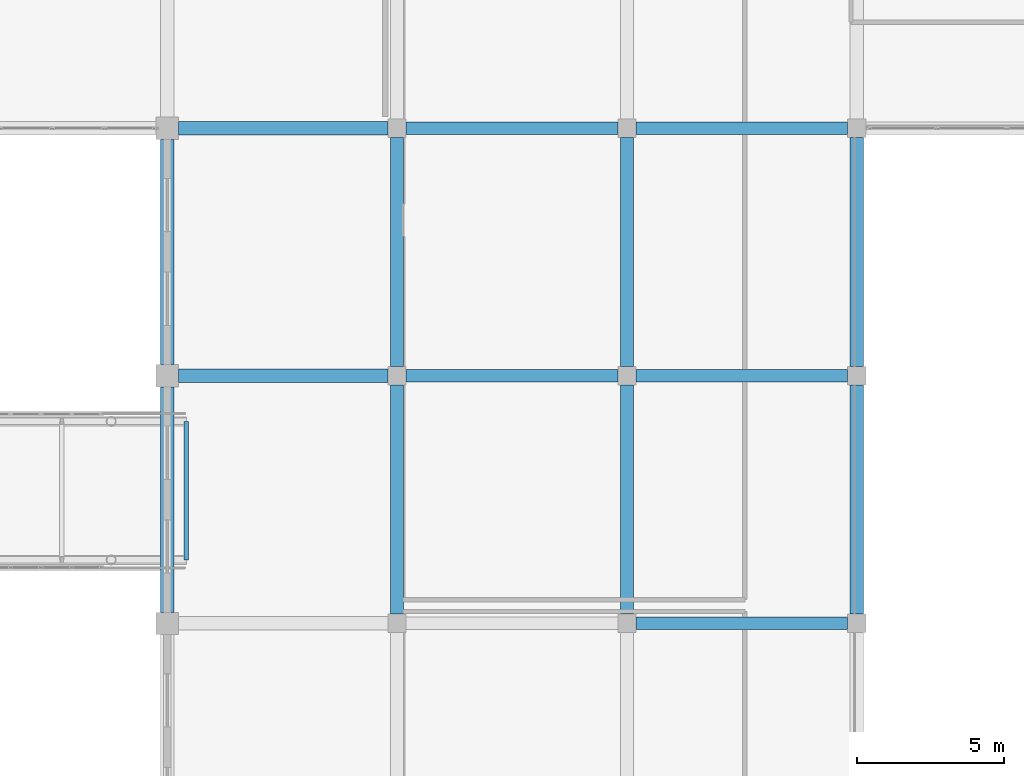
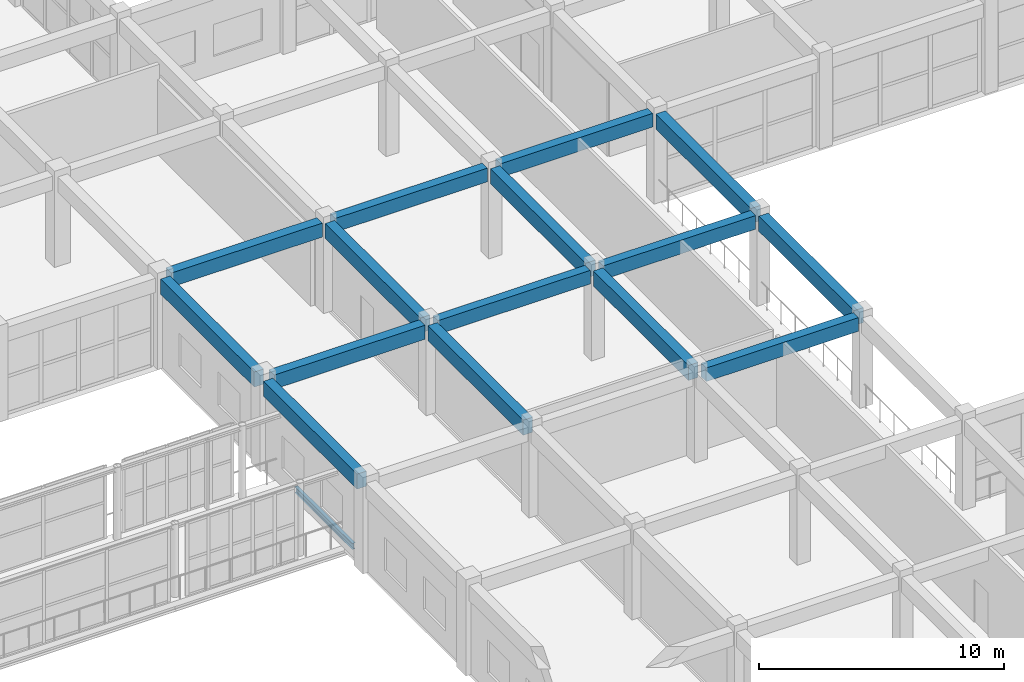
# One storey, part 96 of 167: 16 beams.
"""IFC4 building model written with IfcOpenShell, lengths in metres."""

from ifc_helpers import new_model, si_unit, direction, frame, origin, origin_2d, place, context, subcontext, project, spatial, rectangle, i_section, extrude, material, material_profile, profile_set, type_object, element, save


model = new_model("IFC4")

# Units and contexts
model_context = context("Model", 3, precision=1e-05, world=origin(), true_north=direction((0.0, 1.0)))
body_context = subcontext(model_context, "Body", "Model", "MODEL_VIEW")
ifc_project = project(units=[si_unit("LENGTHUNIT", "METRE"), si_unit("AREAUNIT", "SQUARE_METRE"), si_unit("VOLUMEUNIT", "CUBIC_METRE"), si_unit("PLANEANGLEUNIT", "RADIAN"), si_unit("MASSUNIT", "GRAM", prefix="KILO")], contexts=[model_context])

# Site, building, storey
site_placement = place(None, origin())
site = spatial("IfcSite", under=ifc_project, at=site_placement, CompositionType="ELEMENT")
building_placement = place(site_placement, origin())
building = spatial("IfcBuilding", under=site, at=building_placement, Name="Zizhar Promenade General Hospital", CompositionType="ELEMENT")
storey_placement = place(building_placement, frame((0.0, 0.0, 9.60009765625)))
storey = spatial("IfcBuildingStorey", under=building, at=storey_placement, Name="L02", CompositionType="ELEMENT", Elevation=9.60009765625)

# Beams
ifc_material_1 = material(Name="Concrete C35/45", Category="concrete")
ifc_material_profile_1 = material_profile(ifc_material_1, rectangle(XDim=0.419921875, YDim=0.679931640625, at=origin_2d()))
ifc_profile_set_1 = profile_set([ifc_material_profile_1], Name="Concrete C35/45")
beam_type_1 = type_object("IfcBeamType", Name="BM-RC-420x680", PredefinedType="JOIST", material=ifc_profile_set_1)
for number, where, z_axis, x_axis, name in (
    (1, (132.909912109375, 84.0, 4.1298828125), (1.0, 0.0, 0.0), (0.0, 1.0, 0.0), "Grid Beam X L02 (17-10)"),
    (2, (132.909912109375, 92.39990234375, 4.1298828125), (1.0, 0.0, 0.0), (0.0, 1.0, 0.0), "Grid Beam X L02 (17-11)"),
):
    element("IfcBeam", number, at=place(storey_placement, frame(where, z_axis=z_axis, x_axis=x_axis)), inside=storey, type_object=beam_type_1, Name=name, PredefinedType="JOIST", context=body_context, shape_type="SweptSolid", body=[
        extrude(rectangle(XDim=0.419921875, YDim=0.679931640625, at=origin_2d()), origin(), (0.0, 0.0, 1.0), 7.18017578125),
    ])
for number, where, z_axis, x_axis, name in (
    (3, (140.7099609375, 75.60009765625, 4.1298828125), (1.0, 0.0, 0.0), (0.0, 1.0, 0.0), "Grid Beam X L02 (18-9)"),
    (4, (140.7099609375, 84.0, 4.1298828125), (1.0, 0.0, 0.0), (0.0, 1.0, 0.0), "Grid Beam X L02 (18-10)"),
    (5, (140.7099609375, 92.39990234375, 4.1298828125), (1.0, 0.0, 0.0), (0.0, 1.0, 0.0), "Grid Beam X L02 (18-11)"),
):
    element("IfcBeam", number, at=place(storey_placement, frame(where, z_axis=z_axis, x_axis=x_axis)), inside=storey, type_object=beam_type_1, Name=name, PredefinedType="JOIST", context=body_context, shape_type="SweptSolid", body=[
        extrude(rectangle(XDim=0.419921875, YDim=0.679931640625, at=origin_2d()), origin(), (0.0, 0.0, 1.0), 7.179931640625),
    ])
ifc_material_2 = material(Name="Concrete C35/45", Category="concrete")
ifc_material_profile_2 = material_profile(ifc_material_2, rectangle(XDim=0.449951171875, YDim=0.699951171875, at=origin_2d()))
ifc_profile_set_2 = profile_set([ifc_material_profile_2], Name="Concrete C35/45")
beam_type_2 = type_object("IfcBeamType", Name="BM-RC-450x700", PredefinedType="BEAM", material=ifc_profile_set_2)
for number, where, z_axis, x_axis, name in (
    (6, (125.175048828125, 84.0, 4.119873046875), (1.0, 0.0, 0.0), (0.0, 1.0, 0.0), "Grid Beam X L02 (16-10)"),
    (7, (125.175048828125, 92.39990234375, 4.119873046875), (1.0, 0.0, 0.0), (0.0, 1.0, 0.0), "Grid Beam X L02 (16-11)"),
):
    element("IfcBeam", number, at=place(storey_placement, frame(where, z_axis=z_axis, x_axis=x_axis)), inside=storey, type_object=beam_type_2, Name=name, PredefinedType="BEAM", context=body_context, shape_type="SweptSolid", body=[
        extrude(rectangle(XDim=0.449951171875, YDim=0.699951171875, at=origin_2d()), origin(), (0.0, 0.0, 1.0), 7.114990234375),
    ])
ifc_material_3 = material(Name="Concrete C35/45", Category="concrete")
ifc_material_profile_3 = material_profile(ifc_material_3, rectangle(XDim=0.449951171875, YDim=0.75, at=origin_2d()))
ifc_profile_set_3 = profile_set([ifc_material_profile_3], Name="Concrete C35/45")
beam_type_3 = type_object("IfcBeamType", Name="BM-RC-450x750", PredefinedType="BEAM", material=ifc_profile_set_3)
for number, where, z_axis, x_axis, name in (
    (8, (124.800048828125, 75.97509765625, 4.094970703125), (0.0, 1.0, 0.0), (-1.0, 0.0, 0.0), "Grid Beam Y L02 (16-9)"),
    (9, (124.800048828125, 84.375, 4.094970703125), (0.0, 1.0, 0.0), (-1.0, 0.0, 0.0), "Grid Beam Y L02 (16-10)"),
):
    element("IfcBeam", number, at=place(storey_placement, frame(where, z_axis=z_axis, x_axis=x_axis)), inside=storey, type_object=beam_type_3, Name=name, PredefinedType="BEAM", context=body_context, shape_type="SweptSolid", body=[
        extrude(rectangle(XDim=0.449951171875, YDim=0.75, at=origin_2d()), origin(), (0.0, 0.0, 1.0), 7.64990234375),
    ])
for number, where, z_axis, x_axis, name in (
    (10, (132.60009765625, 75.909912109375, 4.094970703125), (0.0, 1.0, 0.0), (-1.0, 0.0, 0.0), "Grid Beam Y L02 (17-9)"),
    (11, (132.60009765625, 84.31005859375, 4.094970703125), (0.0, 1.0, 0.0), (-1.0, 0.0, 0.0), "Grid Beam Y L02 (17-10)"),
    (12, (140.39990234375, 75.909912109375, 4.094970703125), (0.0, 1.0, 0.0), (-1.0, 0.0, 0.0), "Grid Beam Y L02 (18-9)"),
    (13, (140.39990234375, 84.31005859375, 4.094970703125), (0.0, 1.0, 0.0), (-1.0, 0.0, 0.0), "Grid Beam Y L02 (18-10)"),
    (14, (148.199951171875, 75.909912109375, 4.094970703125), (0.0, 1.0, 0.0), (-1.0, 0.0, 0.0), "Grid Beam Y L02 (19-9)"),
    (15, (148.199951171875, 84.31005859375, 4.094970703125), (0.0, 1.0, 0.0), (-1.0, 0.0, 0.0), "Grid Beam Y L02 (19-10)"),
):
    element("IfcBeam", number, at=place(storey_placement, frame(where, z_axis=z_axis, x_axis=x_axis)), inside=storey, type_object=beam_type_3, Name=name, PredefinedType="BEAM", context=body_context, shape_type="SweptSolid", body=[
        extrude(rectangle(XDim=0.449951171875, YDim=0.75, at=origin_2d()), origin(), (0.0, 0.0, 1.0), 7.780029296875),
    ])
ifc_material_4 = material(Name="Steel S355", Category="steel")
ifc_material_profile_4 = material_profile(ifc_material_4, i_section(OverallWidth=0.14990234375, OverallDepth=0.300048828125, WebThickness=0.007080078125, FlangeThickness=0.0107421875, FilletRadius=0.014892578125, at=origin_2d()))
ifc_profile_set_4 = profile_set([ifc_material_profile_4], Name="Steel S355")
beam_type_4 = type_object("IfcBeamType", Name="BM-STL-IPE300", PredefinedType="JOIST", material=ifc_profile_set_4)
beam_placement = place(storey_placement, frame((125.449951171875, 77.75, -0.5), z_axis=(0.0, 1.0, 0.0), x_axis=(-1.0, 0.0, 0.0)))
element("IfcBeam", 16, at=beam_placement, inside=storey, type_object=beam_type_4, Name="SB-2 Transverse Deck Beam 125.5", PredefinedType="JOIST", context=body_context, shape_type="SweptSolid", body=[
    extrude(i_section(OverallWidth=0.14990234375, OverallDepth=0.300048828125, WebThickness=0.007080078125, FlangeThickness=0.0107421875, FilletRadius=0.014892578125, at=origin_2d()), origin(), (0.0, 0.0, 1.0), 4.699951171875),
])

save(model, "model.ifc")
